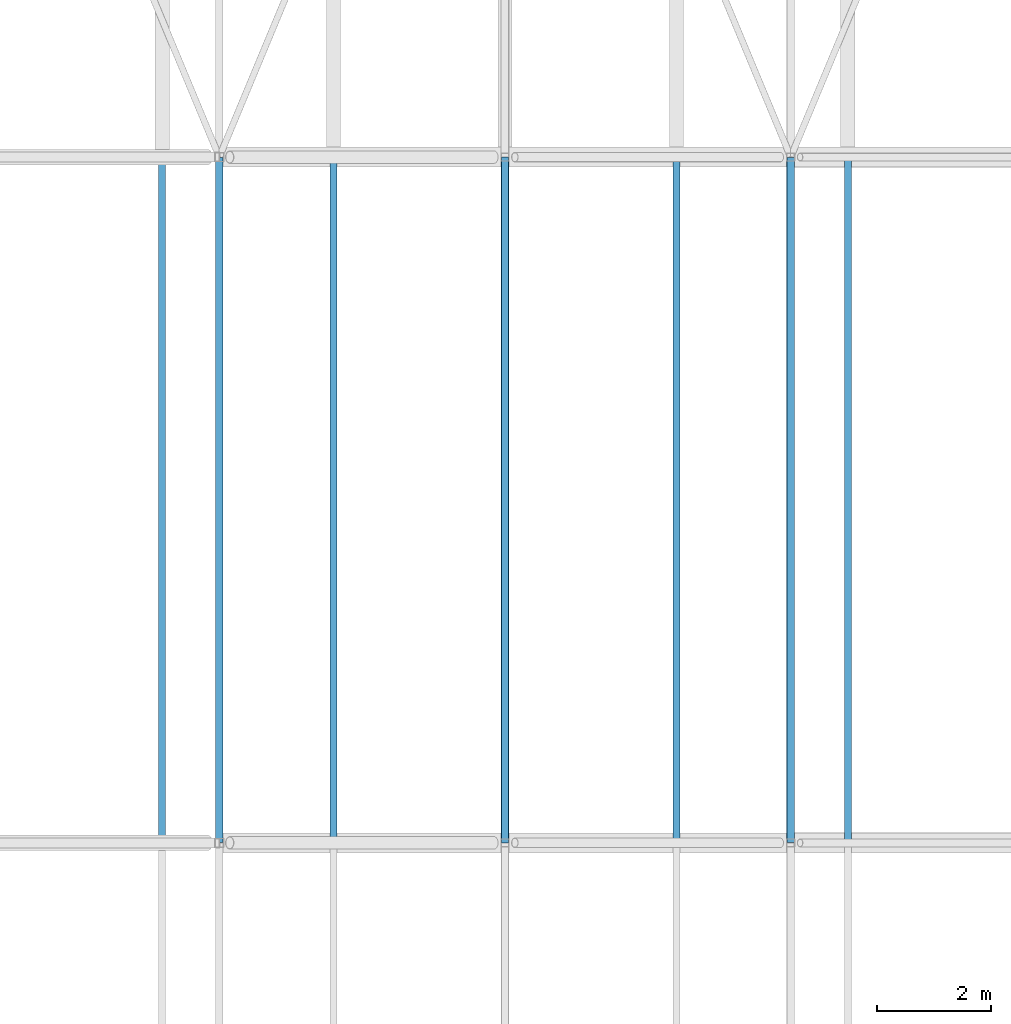
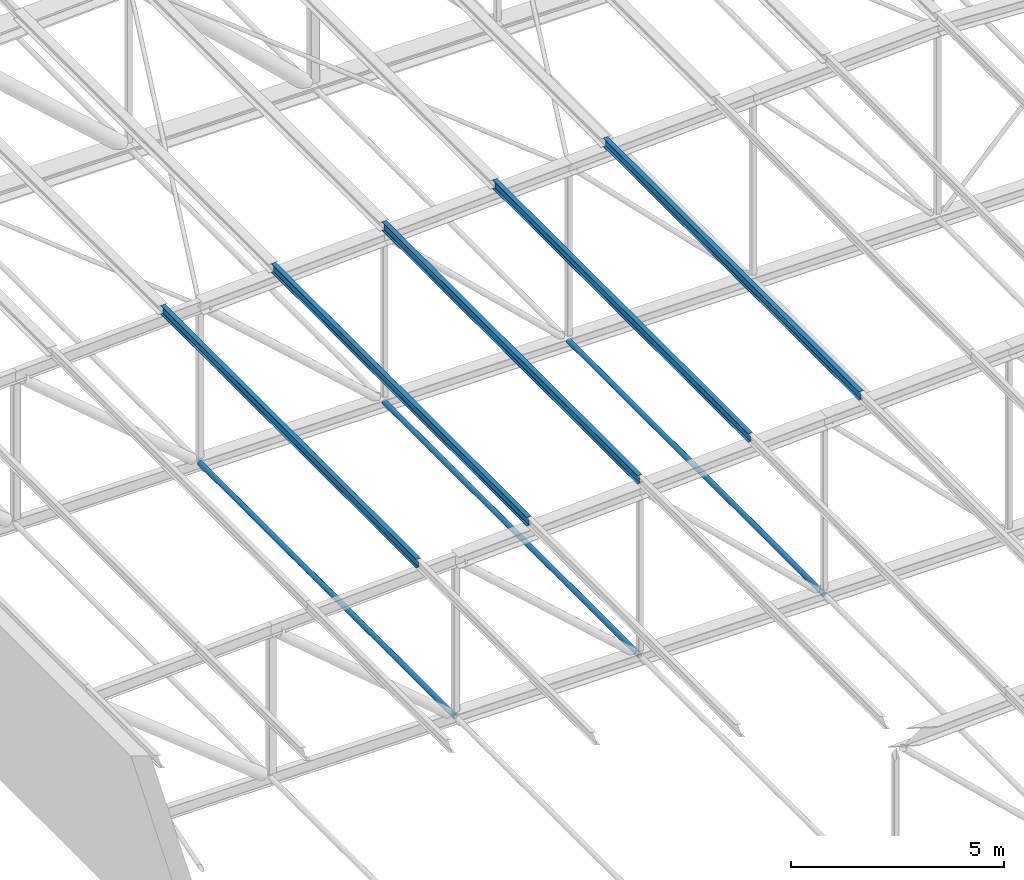
# One storey, part 60 of 156: 8 members.
"""IFC4 building model written with IfcOpenShell, lengths in metres."""

from ifc_helpers import new_model, si_unit, direction, frame, origin, origin_2d, place, context, subcontext, project, spatial, hollow_circle, i_section, extrude, material, material_profile, profile_set, type_object, element, save


model = new_model("IFC4")

# Units and contexts
model_context = context("Model", 3, precision=1e-05, world=origin(), true_north=direction((0.0, 1.0)))
body_context = subcontext(model_context, "Body", "Model", "MODEL_VIEW")
ifc_project = project(units=[si_unit("LENGTHUNIT", "METRE"), si_unit("AREAUNIT", "SQUARE_METRE"), si_unit("VOLUMEUNIT", "CUBIC_METRE"), si_unit("PLANEANGLEUNIT", "RADIAN"), si_unit("MASSUNIT", "GRAM", prefix="KILO")], contexts=[model_context])

# Site, building, storey
site_placement = place(None, origin())
site = spatial("IfcSite", under=ifc_project, at=site_placement, CompositionType="ELEMENT")
building_placement = place(site_placement, origin())
building = spatial("IfcBuilding", under=site, at=building_placement, Name="Lilac Gate Convention Centre", CompositionType="ELEMENT")
storey_placement = place(building_placement, frame((0.0, 0.0, 17.0)))
storey = spatial("IfcBuildingStorey", under=building, at=storey_placement, Name="L03", CompositionType="ELEMENT", Elevation=17.0)

# Members
ifc_material = material(Name="Steel Q355B", Category="steel")
ifc_material_profile_1 = material_profile(ifc_material, hollow_circle(Radius=0.06982421875, WallThickness=0.0048828125, at=origin_2d()), Name="CHS139.7x5")
ifc_profile_set_1 = profile_set([ifc_material_profile_1], Name="Steel Q355B")
member_type_1 = type_object("IfcMemberType", Name="Bottom chord tie CHS139.7x5", PredefinedType="STRUT", material=ifc_profile_set_1)
member_placement = place(storey_placement, frame((40.0, 114.00341796875, 0.0), z_axis=(0.0, 1.0, 0.0), x_axis=(-1.0, 0.0, 0.0)))
element("IfcMember", 1, at=member_placement, inside=storey, type_object=member_type_1, Name="ST1 tie bay 8 node 3", PredefinedType="STRUT", context=body_context, shape_type="SweptSolid", body=[
    extrude(hollow_circle(Radius=0.06982421875, WallThickness=0.0048828125, at=origin_2d()), origin(), (0.0, 0.0, 1.0), 11.9931640625),
])
for number, where, z_axis, x_axis, name in (
    (2, (45.0, 114.006103515625, 0.0), (0.0, 1.0, 0.0), (-1.0, 0.0, 0.0), "ST1 tie bay 8 node 4"),
    (3, (50.0, 114.006103515625, 0.0), (0.0, 1.0, 0.0), (-1.0, 0.0, 0.0), "ST1 tie bay 8 node 5"),
):
    element("IfcMember", number, at=place(storey_placement, frame(where, z_axis=z_axis, x_axis=x_axis)), inside=storey, type_object=member_type_1, Name=name, PredefinedType="STRUT", context=body_context, shape_type="SweptSolid", body=[
        extrude(hollow_circle(Radius=0.06982421875, WallThickness=0.0048828125, at=origin_2d()), origin(), (0.0, 0.0, 1.0), 11.98779296875),
    ])
ifc_material_profile_2 = material_profile(ifc_material, i_section(OverallWidth=0.125, OverallDepth=0.25, WebThickness=0.006103515625, FlangeThickness=0.009033203125, FilletRadius=0.008056640625, at=origin_2d()), Name="HN250x125x6x9")
ifc_profile_set_2 = profile_set([ifc_material_profile_2], Name="Steel Q355B")
member_type_2 = type_object("IfcMemberType", Name="Roof purlin HN250x125x6x9", PredefinedType="PURLIN", material=ifc_profile_set_2)
for number, where, z_axis, x_axis, name in (
    (4, (39.0, 114.0, 4.750244140625), (0.0, 1.0, 0.0), (-1.0, 0.0, 0.0), "PU2 purlin bay 8 line 4"),
    (5, (42.0, 114.0, 4.900146484375), (0.0, 1.0, 0.0), (-1.0, 0.0, 0.0), "PU2 purlin bay 8 line 5"),
    (6, (45.0, 114.0, 5.05029296875), (0.0, 1.0, 0.0), (-1.0, 0.0, 0.0), "PU2 purlin bay 8 line 6"),
    (7, (48.0, 114.0, 5.2001953125), (0.0, 1.0, 0.0), (-1.0, 0.0, 0.0), "PU2 purlin bay 8 line 7"),
    (8, (51.0, 114.0, 5.35009765625), (0.0, 1.0, 0.0), (-1.0, 0.0, 0.0), "PU2 purlin bay 8 line 8"),
):
    element("IfcMember", number, at=place(storey_placement, frame(where, z_axis=z_axis, x_axis=x_axis)), inside=storey, type_object=member_type_2, Name=name, PredefinedType="PURLIN", context=body_context, shape_type="SweptSolid", body=[
        extrude(i_section(OverallWidth=0.125, OverallDepth=0.25, WebThickness=0.006103515625, FlangeThickness=0.009033203125, FilletRadius=0.008056640625, at=origin_2d()), origin(), (0.0, 0.0, 1.0), 12.0),
    ])

save(model, "model.ifc")
